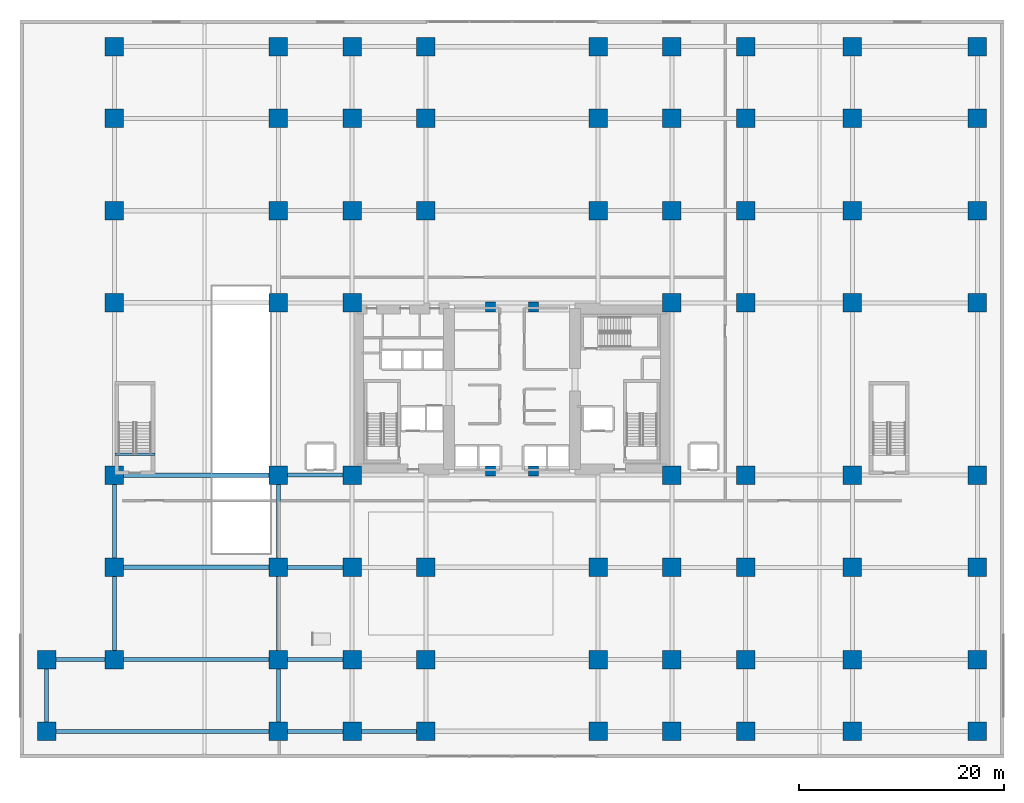
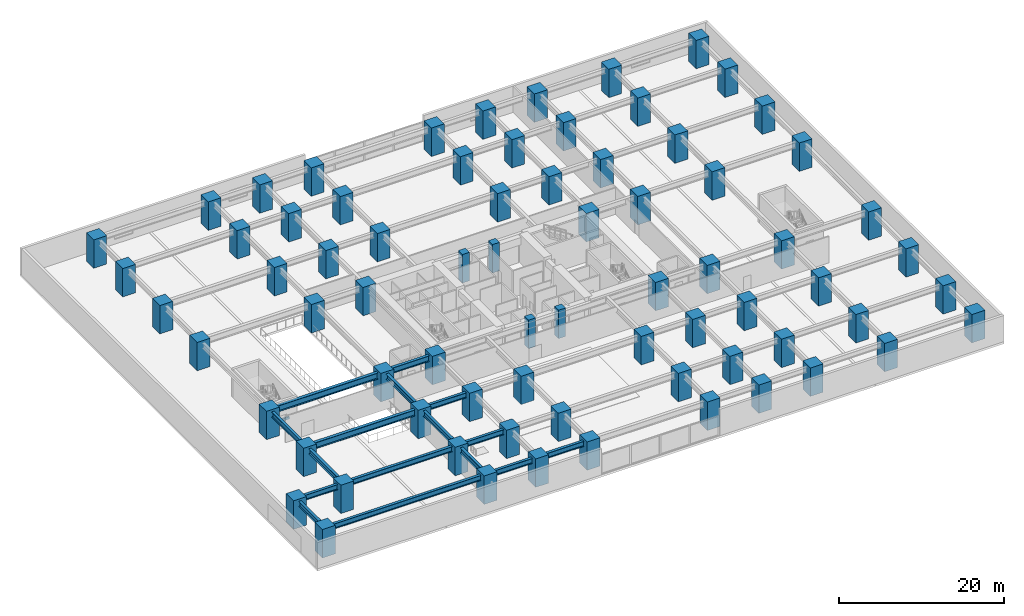
# One storey, part 1 of 22: 73 columns, 16 beams.
"""IFC4 building model written with IfcOpenShell, lengths in metres."""

from ifc_helpers import new_model, si_unit, direction, frame, origin, origin_2d, place, context, subcontext, project, spatial, rectangle, i_section, extrude, material, material_profile, profile_set, type_object, element, save


model = new_model("IFC4")

# Units and contexts
model_context = context("Model", 3, precision=1e-05, world=origin(), true_north=direction((0.0, 1.0)))
body_context = subcontext(model_context, "Body", "Model", "MODEL_VIEW")
ifc_project = project(units=[si_unit("LENGTHUNIT", "METRE"), si_unit("AREAUNIT", "SQUARE_METRE"), si_unit("VOLUMEUNIT", "CUBIC_METRE"), si_unit("PLANEANGLEUNIT", "RADIAN"), si_unit("MASSUNIT", "GRAM", prefix="KILO")], contexts=[model_context])

# Site, building, storey
site_placement = place(None, origin())
site = spatial("IfcSite", under=ifc_project, at=site_placement, CompositionType="ELEMENT")
building_placement = place(site_placement, origin())
building = spatial("IfcBuilding", under=site, at=building_placement, Name="Kiyonajd Concourse Tower", CompositionType="ELEMENT")
storey_placement = place(building_placement, frame((0.0, 0.0, 8.699951171875)))
storey = spatial("IfcBuildingStorey", under=building, at=storey_placement, Name="L03", CompositionType="ELEMENT", Elevation=8.699951171875)

# Columns
ifc_material_1 = material(Name="Concrete C80/95", Category="concrete")
ifc_material_profile_1 = material_profile(ifc_material_1, rectangle(XDim=1.800048828125, YDim=1.800048828125, at=origin_2d()), Name="RC-1800x1800")
ifc_profile_set_1 = profile_set([ifc_material_profile_1], Name="Concrete C80/95")
column_type_1 = type_object("IfcColumnType", Name="CL-MEGA-1800", PredefinedType="COLUMN", material=ifc_profile_set_1)
for number, where, z_axis, x_axis, name in (
    (1, (2.60009765625, 2.60009765625, 0.0), (0.0, 0.0, 1.0), (1.0, 0.0, 0.0), "L03 Podium Mega Column"),
    (2, (2.60009765625, 9.60009765625, 0.0), (0.0, 0.0, 1.0), (1.0, 0.0, 0.0), "L03 Podium Mega Column"),
    (3, (9.199951171875, 9.60009765625, 0.0), (0.0, 0.0, 1.0), (1.0, 0.0, 0.0), "L03 Podium Mega Column"),
    (4, (9.199951171875, 18.60009765625, 0.0), (0.0, 0.0, 1.0), (1.0, 0.0, 0.0), "L03 Podium Mega Column"),
    (5, (9.199951171875, 27.60009765625, 0.0), (0.0, 0.0, 1.0), (1.0, 0.0, 0.0), "L03 Podium Mega Column"),
    (6, (9.199951171875, 44.39990234375, 0.0), (0.0, 0.0, 1.0), (1.0, 0.0, 0.0), "L03 Podium Mega Column"),
    (7, (9.199951171875, 53.39990234375, 0.0), (0.0, 0.0, 1.0), (1.0, 0.0, 0.0), "L03 Podium Mega Column"),
    (8, (9.199951171875, 62.39990234375, 0.0), (0.0, 0.0, 1.0), (1.0, 0.0, 0.0), "L03 Podium Mega Column"),
    (9, (9.199951171875, 69.39990234375, 0.0), (0.0, 0.0, 1.0), (1.0, 0.0, 0.0), "L03 Podium Mega Column"),
    (10, (25.199951171875, 2.60009765625, 0.0), (0.0, 0.0, 1.0), (1.0, 0.0, 0.0), "L03 Podium Mega Column"),
    (11, (25.199951171875, 9.60009765625, 0.0), (0.0, 0.0, 1.0), (1.0, 0.0, 0.0), "L03 Podium Mega Column"),
    (12, (25.199951171875, 18.60009765625, 0.0), (0.0, 0.0, 1.0), (1.0, 0.0, 0.0), "L03 Podium Mega Column"),
    (13, (25.199951171875, 27.60009765625, 0.0), (0.0, 0.0, 1.0), (1.0, 0.0, 0.0), "L03 Podium Mega Column"),
    (14, (25.199951171875, 44.39990234375, 0.0), (0.0, 0.0, 1.0), (1.0, 0.0, 0.0), "L03 Podium Mega Column"),
    (15, (25.199951171875, 53.39990234375, 0.0), (0.0, 0.0, 1.0), (1.0, 0.0, 0.0), "L03 Podium Mega Column"),
    (16, (25.199951171875, 62.39990234375, 0.0), (0.0, 0.0, 1.0), (1.0, 0.0, 0.0), "L03 Podium Mega Column"),
    (17, (25.199951171875, 69.39990234375, 0.0), (0.0, 0.0, 1.0), (1.0, 0.0, 0.0), "L03 Podium Mega Column"),
    (18, (32.39990234375, 2.60009765625, 0.0), (0.0, 0.0, 1.0), (1.0, 0.0, 0.0), "L03 Podium Mega Column"),
    (19, (32.39990234375, 9.60009765625, 0.0), (0.0, 0.0, 1.0), (1.0, 0.0, 0.0), "L03 Podium Mega Column"),
    (20, (32.39990234375, 18.60009765625, 0.0), (0.0, 0.0, 1.0), (1.0, 0.0, 0.0), "L03 Podium Mega Column"),
    (21, (32.39990234375, 27.60009765625, 0.0), (0.0, 0.0, 1.0), (1.0, 0.0, 0.0), "L03 Podium Mega Column"),
    (22, (32.39990234375, 44.39990234375, 0.0), (0.0, 0.0, 1.0), (1.0, 0.0, 0.0), "L03 Podium Mega Column"),
    (23, (32.39990234375, 53.39990234375, 0.0), (0.0, 0.0, 1.0), (1.0, 0.0, 0.0), "L03 Podium Mega Column"),
    (24, (32.39990234375, 62.39990234375, 0.0), (0.0, 0.0, 1.0), (1.0, 0.0, 0.0), "L03 Podium Mega Column"),
    (25, (32.39990234375, 69.39990234375, 0.0), (0.0, 0.0, 1.0), (1.0, 0.0, 0.0), "L03 Podium Mega Column"),
    (26, (39.60009765625, 2.60009765625, 0.0), (0.0, 0.0, 1.0), (1.0, 0.0, 0.0), "L03 Podium Mega Column"),
    (27, (39.60009765625, 9.60009765625, 0.0), (0.0, 0.0, 1.0), (1.0, 0.0, 0.0), "L03 Podium Mega Column"),
    (28, (39.60009765625, 18.60009765625, 0.0), (0.0, 0.0, 1.0), (1.0, 0.0, 0.0), "L03 Podium Mega Column"),
    (29, (39.60009765625, 53.39990234375, 0.0), (0.0, 0.0, 1.0), (1.0, 0.0, 0.0), "L03 Podium Mega Column"),
    (30, (39.60009765625, 62.39990234375, 0.0), (0.0, 0.0, 1.0), (1.0, 0.0, 0.0), "L03 Podium Mega Column"),
    (31, (39.60009765625, 69.39990234375, 0.0), (0.0, 0.0, 1.0), (1.0, 0.0, 0.0), "L03 Podium Mega Column"),
    (32, (56.39990234375, 2.60009765625, 0.0), (0.0, 0.0, 1.0), (1.0, 0.0, 0.0), "L03 Podium Mega Column"),
    (33, (56.39990234375, 9.60009765625, 0.0), (0.0, 0.0, 1.0), (1.0, 0.0, 0.0), "L03 Podium Mega Column"),
    (34, (56.39990234375, 18.60009765625, 0.0), (0.0, 0.0, 1.0), (1.0, 0.0, 0.0), "L03 Podium Mega Column"),
    (35, (56.39990234375, 53.39990234375, 0.0), (0.0, 0.0, 1.0), (1.0, 0.0, 0.0), "L03 Podium Mega Column"),
    (36, (56.39990234375, 62.39990234375, 0.0), (0.0, 0.0, 1.0), (1.0, 0.0, 0.0), "L03 Podium Mega Column"),
    (37, (56.39990234375, 69.39990234375, 0.0), (0.0, 0.0, 1.0), (1.0, 0.0, 0.0), "L03 Podium Mega Column"),
    (38, (63.60009765625, 2.60009765625, 0.0), (0.0, 0.0, 1.0), (1.0, 0.0, 0.0), "L03 Podium Mega Column"),
    (39, (63.60009765625, 9.60009765625, 0.0), (0.0, 0.0, 1.0), (1.0, 0.0, 0.0), "L03 Podium Mega Column"),
    (40, (63.60009765625, 18.60009765625, 0.0), (0.0, 0.0, 1.0), (1.0, 0.0, 0.0), "L03 Podium Mega Column"),
    (41, (63.60009765625, 27.60009765625, 0.0), (0.0, 0.0, 1.0), (1.0, 0.0, 0.0), "L03 Podium Mega Column"),
    (42, (63.60009765625, 44.39990234375, 0.0), (0.0, 0.0, 1.0), (1.0, 0.0, 0.0), "L03 Podium Mega Column"),
    (43, (63.60009765625, 53.39990234375, 0.0), (0.0, 0.0, 1.0), (1.0, 0.0, 0.0), "L03 Podium Mega Column"),
    (44, (63.60009765625, 62.39990234375, 0.0), (0.0, 0.0, 1.0), (1.0, 0.0, 0.0), "L03 Podium Mega Column"),
    (45, (63.60009765625, 69.39990234375, 0.0), (0.0, 0.0, 1.0), (1.0, 0.0, 0.0), "L03 Podium Mega Column"),
    (46, (70.800048828125, 2.60009765625, 0.0), (0.0, 0.0, 1.0), (1.0, 0.0, 0.0), "L03 Podium Mega Column"),
    (47, (70.800048828125, 9.60009765625, 0.0), (0.0, 0.0, 1.0), (1.0, 0.0, 0.0), "L03 Podium Mega Column"),
    (48, (70.800048828125, 18.60009765625, 0.0), (0.0, 0.0, 1.0), (1.0, 0.0, 0.0), "L03 Podium Mega Column"),
    (49, (70.800048828125, 27.60009765625, 0.0), (0.0, 0.0, 1.0), (1.0, 0.0, 0.0), "L03 Podium Mega Column"),
    (50, (70.800048828125, 44.39990234375, 0.0), (0.0, 0.0, 1.0), (1.0, 0.0, 0.0), "L03 Podium Mega Column"),
    (51, (70.800048828125, 53.39990234375, 0.0), (0.0, 0.0, 1.0), (1.0, 0.0, 0.0), "L03 Podium Mega Column"),
    (52, (70.800048828125, 62.39990234375, 0.0), (0.0, 0.0, 1.0), (1.0, 0.0, 0.0), "L03 Podium Mega Column"),
    (53, (70.800048828125, 69.39990234375, 0.0), (0.0, 0.0, 1.0), (1.0, 0.0, 0.0), "L03 Podium Mega Column"),
    (54, (81.199951171875, 2.60009765625, 0.0), (0.0, 0.0, 1.0), (1.0, 0.0, 0.0), "L03 Podium Mega Column"),
    (55, (81.199951171875, 9.60009765625, 0.0), (0.0, 0.0, 1.0), (1.0, 0.0, 0.0), "L03 Podium Mega Column"),
    (56, (81.199951171875, 18.60009765625, 0.0), (0.0, 0.0, 1.0), (1.0, 0.0, 0.0), "L03 Podium Mega Column"),
    (57, (81.199951171875, 27.60009765625, 0.0), (0.0, 0.0, 1.0), (1.0, 0.0, 0.0), "L03 Podium Mega Column"),
    (58, (81.199951171875, 44.39990234375, 0.0), (0.0, 0.0, 1.0), (1.0, 0.0, 0.0), "L03 Podium Mega Column"),
    (59, (81.199951171875, 53.39990234375, 0.0), (0.0, 0.0, 1.0), (1.0, 0.0, 0.0), "L03 Podium Mega Column"),
    (60, (81.199951171875, 62.39990234375, 0.0), (0.0, 0.0, 1.0), (1.0, 0.0, 0.0), "L03 Podium Mega Column"),
    (61, (81.199951171875, 69.39990234375, 0.0), (0.0, 0.0, 1.0), (1.0, 0.0, 0.0), "L03 Podium Mega Column"),
    (62, (93.39990234375, 2.60009765625, 0.0), (0.0, 0.0, 1.0), (1.0, 0.0, 0.0), "L03 Podium Mega Column"),
    (63, (93.39990234375, 9.60009765625, 0.0), (0.0, 0.0, 1.0), (1.0, 0.0, 0.0), "L03 Podium Mega Column"),
    (64, (93.39990234375, 18.60009765625, 0.0), (0.0, 0.0, 1.0), (1.0, 0.0, 0.0), "L03 Podium Mega Column"),
    (65, (93.39990234375, 27.60009765625, 0.0), (0.0, 0.0, 1.0), (1.0, 0.0, 0.0), "L03 Podium Mega Column"),
    (66, (93.39990234375, 44.39990234375, 0.0), (0.0, 0.0, 1.0), (1.0, 0.0, 0.0), "L03 Podium Mega Column"),
    (67, (93.39990234375, 53.39990234375, 0.0), (0.0, 0.0, 1.0), (1.0, 0.0, 0.0), "L03 Podium Mega Column"),
    (68, (93.39990234375, 62.39990234375, 0.0), (0.0, 0.0, 1.0), (1.0, 0.0, 0.0), "L03 Podium Mega Column"),
    (69, (93.39990234375, 69.39990234375, 0.0), (0.0, 0.0, 1.0), (1.0, 0.0, 0.0), "L03 Podium Mega Column"),
):
    element("IfcColumn", number, at=place(storey_placement, frame(where, z_axis=z_axis, x_axis=x_axis)), inside=storey, type_object=column_type_1, Name=name, PredefinedType="COLUMN", context=body_context, shape_type="SweptSolid", body=[
        extrude(rectangle(XDim=1.800048828125, YDim=1.800048828125, at=origin_2d()), origin(), (0.0, 0.0, 1.0), 4.199951171875),
    ])
ifc_material_2 = material(Name="Concrete C60/75", Category="concrete")
ifc_material_profile_2 = material_profile(ifc_material_2, rectangle(XDim=1.0, YDim=1.0, at=origin_2d()), Name="RC-1000x1000")
ifc_profile_set_2 = profile_set([ifc_material_profile_2], Name="Concrete C60/75")
column_type_2 = type_object("IfcColumnType", Name="CL-TUBE-1000", PredefinedType="COLUMN", material=ifc_profile_set_2)
for number, where, z_axis, x_axis, name in (
    (70, (45.89990234375, 28.0, 0.0), (0.0, 0.0, 1.0), (1.0, 0.0, 0.0), "L03 Core Tie Column South West"),
    (71, (50.10009765625, 28.0, 0.0), (0.0, 0.0, 1.0), (1.0, 0.0, 0.0), "L03 Core Tie Column South East"),
    (72, (45.89990234375, 44.0, 0.0), (0.0, 0.0, 1.0), (1.0, 0.0, 0.0), "L03 Core Tie Column North West"),
    (73, (50.10009765625, 44.0, 0.0), (0.0, 0.0, 1.0), (1.0, 0.0, 0.0), "L03 Core Tie Column North East"),
):
    element("IfcColumn", number, at=place(storey_placement, frame(where, z_axis=z_axis, x_axis=x_axis)), inside=storey, type_object=column_type_2, Name=name, PredefinedType="COLUMN", context=body_context, shape_type="SweptSolid", body=[
        extrude(rectangle(XDim=1.0, YDim=1.0, at=origin_2d()), origin(), (0.0, 0.0, 1.0), 4.199951171875),
    ])

# Beams
ifc_material_3 = material(Name="Steel ASTM A992 Grade 50", Category="steel")
ifc_material_profile_3 = material_profile(ifc_material_3, i_section(OverallWidth=0.423095703125, OverallDepth=0.93310546875, WebThickness=0.02392578125, FlangeThickness=0.042724609375, at=origin_2d()), Name="W920X446")
ifc_profile_set_3 = profile_set([ifc_material_profile_3], Name="Steel ASTM A992 Grade 50")
beam_type_1 = type_object("IfcBeamType", Name="BM-AUD-920A", PredefinedType="BEAM", material=ifc_profile_set_3)
for number, where, z_axis, x_axis, name in (
    (74, (9.199951171875, 18.60009765625, 3.41357421875), (1.0, 0.0, 0.0), (0.0, 1.0, 0.0), "L03 Auditorium Clear Span Girder"),
    (75, (9.199951171875, 27.60009765625, 3.41357421875), (1.0, 0.0, 0.0), (0.0, 1.0, 0.0), "L03 Auditorium Clear Span Girder"),
):
    element("IfcBeam", number, at=place(storey_placement, frame(where, z_axis=z_axis, x_axis=x_axis)), inside=storey, type_object=beam_type_1, Name=name, PredefinedType="BEAM", context=body_context, shape_type="SweptSolid", body=[
        extrude(i_section(OverallWidth=0.423095703125, OverallDepth=0.93310546875, WebThickness=0.02392578125, FlangeThickness=0.042724609375, at=origin_2d()), origin(), (0.0, 0.0, 1.0), 16.0),
    ])
ifc_material_4 = material(Name="Concrete C50/60", Category="concrete")
ifc_material_profile_4 = material_profile(ifc_material_4, rectangle(XDim=0.239990234375, YDim=0.320068359375, at=origin_2d()), Name="RCBM-240x320")
ifc_profile_set_4 = profile_set([ifc_material_profile_4], Name="Concrete C50/60")
beam_type_2 = type_object("IfcBeamType", Name="BM-LNT-250", PredefinedType="LINTEL", material=ifc_profile_set_4)
beam_1_placement = place(storey_placement, frame((9.25, 29.6298828125, -0.159912109375), z_axis=(1.0, 0.0, 0.0), x_axis=(0.0, 1.0, 0.0)))
element("IfcBeam", 76, at=beam_1_placement, inside=storey, type_object=beam_type_2, Name="L03 Stair ST4 Threshold Support Beam", PredefinedType="LINTEL", context=body_context, shape_type="SweptSolid", body=[
    extrude(rectangle(XDim=0.239990234375, YDim=0.320068359375, at=origin_2d()), origin(), (0.0, 0.0, 1.0), 3.89990234375),
])
ifc_material_profile_5 = material_profile(ifc_material_3, i_section(OverallWidth=0.381103515625, OverallDepth=0.77294921875, WebThickness=0.0166015625, FlangeThickness=0.027099609375, at=origin_2d()), Name="W760X257")
ifc_profile_set_5 = profile_set([ifc_material_profile_5], Name="Steel ASTM A992 Grade 50")
beam_type_3 = type_object("IfcBeamType", Name="BM-POD-760", PredefinedType="BEAM", material=ifc_profile_set_5)
beam_2_placement = place(storey_placement, frame((2.60009765625, 2.60009765625, 3.49365234375), z_axis=(1.0, 0.0, 0.0), x_axis=(0.0, 1.0, 0.0)))
element("IfcBeam", 77, at=beam_2_placement, inside=storey, type_object=beam_type_3, Name="L03 Podium Primary Beam", PredefinedType="BEAM", context=body_context, shape_type="SweptSolid", body=[
    extrude(i_section(OverallWidth=0.381103515625, OverallDepth=0.77294921875, WebThickness=0.0166015625, FlangeThickness=0.027099609375, at=origin_2d()), origin(), (0.0, 0.0, 1.0), 22.599853515625),
])
beam_3_placement = place(storey_placement, frame((25.199951171875, 2.60009765625, 3.49365234375), z_axis=(1.0, 0.0, 0.0), x_axis=(0.0, 1.0, 0.0)))
element("IfcBeam", 78, at=beam_3_placement, inside=storey, type_object=beam_type_3, Name="L03 Podium Primary Beam", PredefinedType="BEAM", context=body_context, shape_type="SweptSolid", body=[
    extrude(i_section(OverallWidth=0.381103515625, OverallDepth=0.77294921875, WebThickness=0.0166015625, FlangeThickness=0.027099609375, at=origin_2d()), origin(), (0.0, 0.0, 1.0), 7.199951171875),
])
beam_4_placement = place(storey_placement, frame((32.39990234375, 2.60009765625, 3.49365234375), z_axis=(1.0, 0.0, 0.0), x_axis=(0.0, 1.0, 0.0)))
element("IfcBeam", 79, at=beam_4_placement, inside=storey, type_object=beam_type_3, Name="L03 Podium Primary Beam", PredefinedType="BEAM", context=body_context, shape_type="SweptSolid", body=[
    extrude(i_section(OverallWidth=0.381103515625, OverallDepth=0.77294921875, WebThickness=0.0166015625, FlangeThickness=0.027099609375, at=origin_2d()), origin(), (0.0, 0.0, 1.0), 7.2001953125),
])
beam_5_placement = place(storey_placement, frame((2.60009765625, 9.60009765625, 3.49365234375), z_axis=(1.0, 0.0, 0.0), x_axis=(0.0, 1.0, 0.0)))
element("IfcBeam", 80, at=beam_5_placement, inside=storey, type_object=beam_type_3, Name="L03 Podium Primary Beam", PredefinedType="BEAM", context=body_context, shape_type="SweptSolid", body=[
    extrude(i_section(OverallWidth=0.381103515625, OverallDepth=0.77294921875, WebThickness=0.0166015625, FlangeThickness=0.027099609375, at=origin_2d()), origin(), (0.0, 0.0, 1.0), 22.599853515625),
])
for number, where, z_axis, x_axis, name in (
    (81, (25.199951171875, 9.60009765625, 3.49365234375), (1.0, 0.0, 0.0), (0.0, 1.0, 0.0), "L03 Podium Primary Beam"),
    (82, (25.199951171875, 18.60009765625, 3.49365234375), (1.0, 0.0, 0.0), (0.0, 1.0, 0.0), "L03 Podium Primary Beam"),
):
    element("IfcBeam", number, at=place(storey_placement, frame(where, z_axis=z_axis, x_axis=x_axis)), inside=storey, type_object=beam_type_3, Name=name, PredefinedType="BEAM", context=body_context, shape_type="SweptSolid", body=[
        extrude(i_section(OverallWidth=0.381103515625, OverallDepth=0.77294921875, WebThickness=0.0166015625, FlangeThickness=0.027099609375, at=origin_2d()), origin(), (0.0, 0.0, 1.0), 7.199951171875),
    ])
beam_6_placement = place(storey_placement, frame((2.60009765625, 2.60009765625, 3.49365234375), z_axis=(0.0, 1.0, 0.0), x_axis=(-1.0, 0.0, 0.0)))
element("IfcBeam", 83, at=beam_6_placement, inside=storey, type_object=beam_type_3, Name="L03 Podium North South Beam", PredefinedType="BEAM", context=body_context, shape_type="SweptSolid", body=[
    extrude(i_section(OverallWidth=0.381103515625, OverallDepth=0.77294921875, WebThickness=0.0166015625, FlangeThickness=0.027099609375, at=origin_2d()), origin(), (0.0, 0.0, 1.0), 7.0),
])
for number, where, z_axis, x_axis, name in (
    (84, (9.199951171875, 9.60009765625, 3.49365234375), (0.0, 1.0, 0.0), (-1.0, 0.0, 0.0), "L03 Podium North South Beam"),
    (85, (9.199951171875, 18.60009765625, 3.49365234375), (0.0, 1.0, 0.0), (-1.0, 0.0, 0.0), "L03 Podium North South Beam"),
):
    element("IfcBeam", number, at=place(storey_placement, frame(where, z_axis=z_axis, x_axis=x_axis)), inside=storey, type_object=beam_type_3, Name=name, PredefinedType="BEAM", context=body_context, shape_type="SweptSolid", body=[
        extrude(i_section(OverallWidth=0.381103515625, OverallDepth=0.77294921875, WebThickness=0.0166015625, FlangeThickness=0.027099609375, at=origin_2d()), origin(), (0.0, 0.0, 1.0), 9.0),
    ])
beam_7_placement = place(storey_placement, frame((25.199951171875, 2.60009765625, 3.49365234375), z_axis=(0.0, 1.0, 0.0), x_axis=(-1.0, 0.0, 0.0)))
element("IfcBeam", 86, at=beam_7_placement, inside=storey, type_object=beam_type_3, Name="L03 Podium North South Beam", PredefinedType="BEAM", context=body_context, shape_type="SweptSolid", body=[
    extrude(i_section(OverallWidth=0.381103515625, OverallDepth=0.77294921875, WebThickness=0.0166015625, FlangeThickness=0.027099609375, at=origin_2d()), origin(), (0.0, 0.0, 1.0), 7.0),
])
for number, where, z_axis, x_axis, name in (
    (87, (25.199951171875, 9.60009765625, 3.49365234375), (0.0, 1.0, 0.0), (-1.0, 0.0, 0.0), "L03 Podium North South Beam"),
    (88, (25.199951171875, 18.60009765625, 3.49365234375), (0.0, 1.0, 0.0), (-1.0, 0.0, 0.0), "L03 Podium North South Beam"),
):
    element("IfcBeam", number, at=place(storey_placement, frame(where, z_axis=z_axis, x_axis=x_axis)), inside=storey, type_object=beam_type_3, Name=name, PredefinedType="BEAM", context=body_context, shape_type="SweptSolid", body=[
        extrude(i_section(OverallWidth=0.381103515625, OverallDepth=0.77294921875, WebThickness=0.0166015625, FlangeThickness=0.027099609375, at=origin_2d()), origin(), (0.0, 0.0, 1.0), 9.0),
    ])
ifc_material_profile_6 = material_profile(ifc_material_3, i_section(OverallWidth=0.39990234375, OverallDepth=0.85498046875, WebThickness=0.018310546875, FlangeThickness=0.029296875, at=origin_2d()), Name="W840X299")
ifc_profile_set_6 = profile_set([ifc_material_profile_6], Name="Steel ASTM A992 Grade 50")
beam_type_4 = type_object("IfcBeamType", Name="BM-POD-840", PredefinedType="BEAM", material=ifc_profile_set_6)
beam_8_placement = place(storey_placement, frame((25.199951171875, 27.60009765625, 3.45263671875), z_axis=(1.0, 0.0, 0.0), x_axis=(0.0, 1.0, 0.0)))
element("IfcBeam", 89, at=beam_8_placement, inside=storey, type_object=beam_type_4, Name="L03 Podium Primary Beam", PredefinedType="BEAM", context=body_context, shape_type="SweptSolid", body=[
    extrude(i_section(OverallWidth=0.39990234375, OverallDepth=0.85498046875, WebThickness=0.018310546875, FlangeThickness=0.029296875, at=origin_2d()), origin(), (0.0, 0.0, 1.0), 7.199951171875),
])

save(model, "model.ifc")
